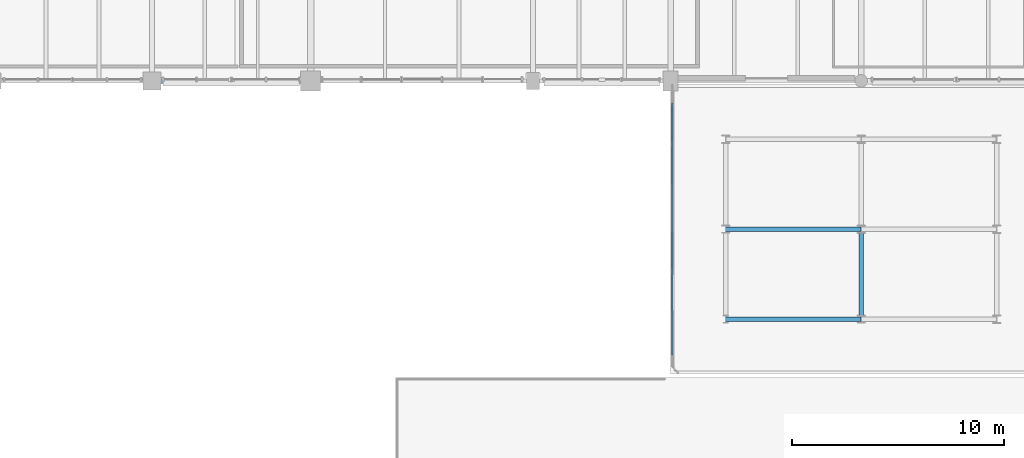
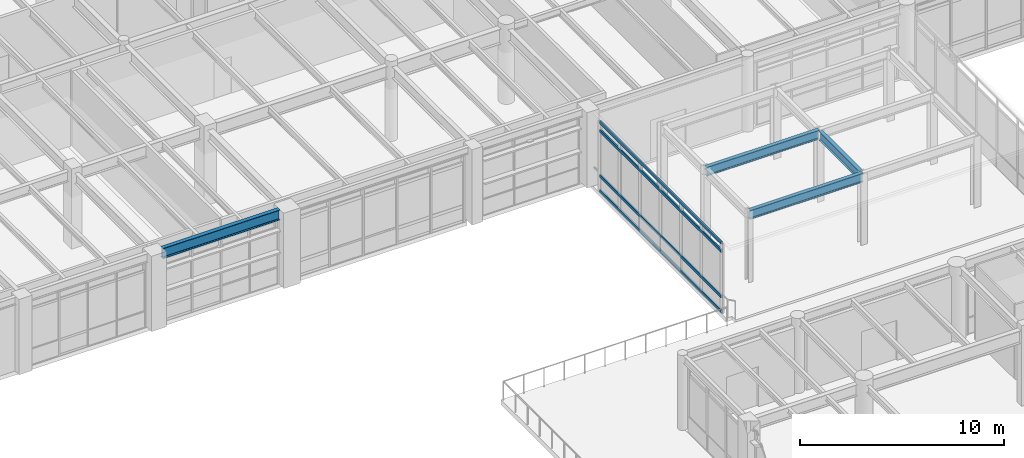
# One storey, part 58 of 200: 4 beams, 4 members, 1 element without a shape of its own.
"""IFC4 building model written with IfcOpenShell, lengths in metres."""

from ifc_helpers import new_model, si_unit, direction, frame, origin, origin_2d, place, context, subcontext, project, spatial, hollow_rectangle, i_section, extrude, material, material_profile, profile_set, type_object, element, aggregate, save


model = new_model("IFC4")

# Units and contexts
model_context = context("Model", 3, precision=1e-05, world=origin(), true_north=direction((0.0, 1.0)))
body_context = subcontext(model_context, "Body", "Model", "MODEL_VIEW")
ifc_project = project(units=[si_unit("LENGTHUNIT", "METRE"), si_unit("AREAUNIT", "SQUARE_METRE"), si_unit("VOLUMEUNIT", "CUBIC_METRE"), si_unit("PLANEANGLEUNIT", "RADIAN"), si_unit("MASSUNIT", "GRAM", prefix="KILO"), si_unit("THERMODYNAMICTEMPERATUREUNIT", "KELVIN"), si_unit("POWERUNIT", "WATT")], contexts=[model_context])

# Site, building, storey
site_placement = place(None, origin())
site = spatial("IfcSite", under=ifc_project, at=site_placement, CompositionType="ELEMENT")
building_placement = place(site_placement, origin())
building = spatial("IfcBuilding", under=site, at=building_placement, Name="Tepalcoro Natatorium and Aquatics Centre", CompositionType="ELEMENT")
storey_placement = place(building_placement, frame((0.0, 0.0, 5.39990234375)))
storey = spatial("IfcBuildingStorey", under=building, at=storey_placement, Name="L01", CompositionType="ELEMENT", Elevation=5.39990234375)

# Beams
ifc_material_1 = material(Name="Steel ASTM A992 Grade 50 (Fy 345 MPa)", Category="steel")
ifc_material_profile_1 = material_profile(ifc_material_1, i_section(OverallWidth=0.2109375, OverallDepth=0.5380859375, WebThickness=0.011962890625, FlangeThickness=0.01904296875, FilletRadius=0.013916015625, at=origin_2d()), Name="W21X73")
ifc_profile_set_1 = profile_set([ifc_material_profile_1], Name="Steel ASTM A992 Grade 50 (Fy 345 MPa)")
beam_type_1 = type_object("IfcBeamType", Name="BM_LINK_LB1", PredefinedType="BEAM", material=ifc_profile_set_1)
for number, where, z_axis, x_axis, name in (
    (1, (55.60009765625, 74.75, 3.9560546875), (1.0, 0.0, 0.0), (0.0, 1.0, 0.0), "Seismic passage link beam LB1 (V6NW L01)"),
    (2, (55.60009765625, 79.0, 3.9560546875), (1.0, 0.0, 0.0), (0.0, 1.0, 0.0), "Seismic passage link beam LB1 (V6NW L01)"),
):
    element("IfcBeam", number, at=place(storey_placement, frame(where, z_axis=z_axis, x_axis=x_axis)), inside=storey, type_object=beam_type_1, Name=name, PredefinedType="BEAM", context=body_context, shape_type="SweptSolid", body=[
        extrude(i_section(OverallWidth=0.2109375, OverallDepth=0.5380859375, WebThickness=0.011962890625, FlangeThickness=0.01904296875, FilletRadius=0.013916015625, at=origin_2d()), origin(), (0.0, 0.0, 1.0), 6.39990234375),
    ])
beam_1_placement = place(storey_placement, frame((62.0, 74.906982421875, 3.9560546875), z_axis=(0.0, 1.0, 0.0), x_axis=(-1.0, 0.0, 0.0)))
element("IfcBeam", 3, at=beam_1_placement, inside=storey, type_object=beam_type_1, Name="Seismic passage link beam LB1 (V6NW L01)", PredefinedType="BEAM", context=body_context, shape_type="SweptSolid", body=[
    extrude(i_section(OverallWidth=0.2109375, OverallDepth=0.5380859375, WebThickness=0.011962890625, FlangeThickness=0.01904296875, FilletRadius=0.013916015625, at=origin_2d()), origin(), (0.0, 0.0, 1.0), 3.929931640625),
])

# Curtain wall, members
ifc_material_2 = material(Name="Bronze-Anodised Extruded Aluminium Alloy EN AW-6063 T6", Category="aluminium")
curtain_wall_type = type_object("IfcCurtainWallType", Name="CW_LINK_150", PredefinedType="USERDEFINED", material=ifc_material_2)
curtain_wall_placement = place(storey_placement, origin())
curtain_wall = element("IfcCurtainWall", 4, at=curtain_wall_placement, inside=storey, type_object=curtain_wall_type, Name="West Court Swimmers Arcade Glazed Wall W L01", ObjectType="UNITISED STOREFRONT", PredefinedType="USERDEFINED")
ifc_material_profile_2 = material_profile(ifc_material_2, hollow_rectangle(XDim=0.080078125, YDim=0.179931640625, WallThickness=0.0048828125, at=origin_2d()), Name="AL80X180X5")
ifc_profile_set_2 = profile_set([ifc_material_profile_2], Name="Bronze-Anodised Extruded Aluminium Alloy EN AW-6063 T6")
member_type = type_object("IfcMemberType", Name="CW_TRN_80x180", PredefinedType="USERDEFINED", material=ifc_profile_set_2)
member_1_placement = place(storey_placement, frame((53.080078125, 73.050048828125, 0.050048828125), z_axis=(0.0, 1.0, 0.0), x_axis=(-1.0, 0.0, 0.0)))
member_1 = element("IfcMember", 5, at=member_1_placement, type_object=member_type, Name="CW_LINK_150 Curtain Wall Transom", ObjectType="TRANSOM", PredefinedType="USERDEFINED", context=body_context, shape_type="SweptSolid", body=[
    extrude(hollow_rectangle(XDim=0.080078125, YDim=0.179931640625, WallThickness=0.0048828125, at=origin_2d()), origin(), (0.0, 0.0, 1.0), 11.89990234375),
])
member_2_placement = place(storey_placement, frame((53.080078125, 73.050048828125, 0.9501953125), z_axis=(0.0, 1.0, 0.0), x_axis=(-1.0, 0.0, 0.0)))
member_2 = element("IfcMember", 6, at=member_2_placement, type_object=member_type, Name="CW_LINK_150 Curtain Wall Transom", ObjectType="TRANSOM", PredefinedType="USERDEFINED", context=body_context, shape_type="SweptSolid", body=[
    extrude(hollow_rectangle(XDim=0.080078125, YDim=0.179931640625, WallThickness=0.0048828125, at=origin_2d()), origin(), (0.0, 0.0, 1.0), 11.89990234375),
])
member_3_placement = place(storey_placement, frame((53.080078125, 73.050048828125, 3.650146484375), z_axis=(0.0, 1.0, 0.0), x_axis=(-1.0, 0.0, 0.0)))
member_3 = element("IfcMember", 7, at=member_3_placement, type_object=member_type, Name="CW_LINK_150 Curtain Wall Transom", ObjectType="TRANSOM", PredefinedType="USERDEFINED", context=body_context, shape_type="SweptSolid", body=[
    extrude(hollow_rectangle(XDim=0.080078125, YDim=0.179931640625, WallThickness=0.0048828125, at=origin_2d()), origin(), (0.0, 0.0, 1.0), 11.89990234375),
])
member_4_placement = place(storey_placement, frame((53.080078125, 73.050048828125, 4.150146484375), z_axis=(0.0, 1.0, 0.0), x_axis=(-1.0, 0.0, 0.0)))
member_4 = element("IfcMember", 8, at=member_4_placement, type_object=member_type, Name="CW_LINK_150 Curtain Wall Transom", ObjectType="TRANSOM", PredefinedType="USERDEFINED", context=body_context, shape_type="SweptSolid", body=[
    extrude(hollow_rectangle(XDim=0.080078125, YDim=0.179931640625, WallThickness=0.0048828125, at=origin_2d()), origin(), (0.0, 0.0, 1.0), 11.89990234375),
])
aggregate(curtain_wall, [member_1, member_2, member_3, member_4])

# Beam
ifc_material_profile_3 = material_profile(ifc_material_1, i_section(OverallWidth=0.22900390625, OverallDepth=0.612060546875, WebThickness=0.011962890625, FlangeThickness=0.02001953125, FilletRadius=0.013916015625, at=origin_2d()), Name="W24X84")
ifc_profile_set_3 = profile_set([ifc_material_profile_3], Name="Steel ASTM A992 Grade 50 (Fy 345 MPa)")
beam_type_2 = type_object("IfcBeamType", Name="SP_W24x84", PredefinedType="SPANDREL", material=ifc_profile_set_3)
beam_2_placement = place(storey_placement, frame((28.909912109375, 86.0, 4.17919921875), z_axis=(1.0, 0.0, 0.0), x_axis=(0.0, 1.0, 0.0)))
element("IfcBeam", 9, at=beam_2_placement, inside=storey, type_object=beam_type_2, Name="V4 L01 Grid Girder X", PredefinedType="SPANDREL", context=body_context, shape_type="SweptSolid", body=[
    extrude(i_section(OverallWidth=0.22900390625, OverallDepth=0.612060546875, WebThickness=0.011962890625, FlangeThickness=0.02001953125, FilletRadius=0.013916015625, at=origin_2d()), origin(), (0.0, 0.0, 1.0), 6.630126953125),
])

save(model, "model.ifc")
